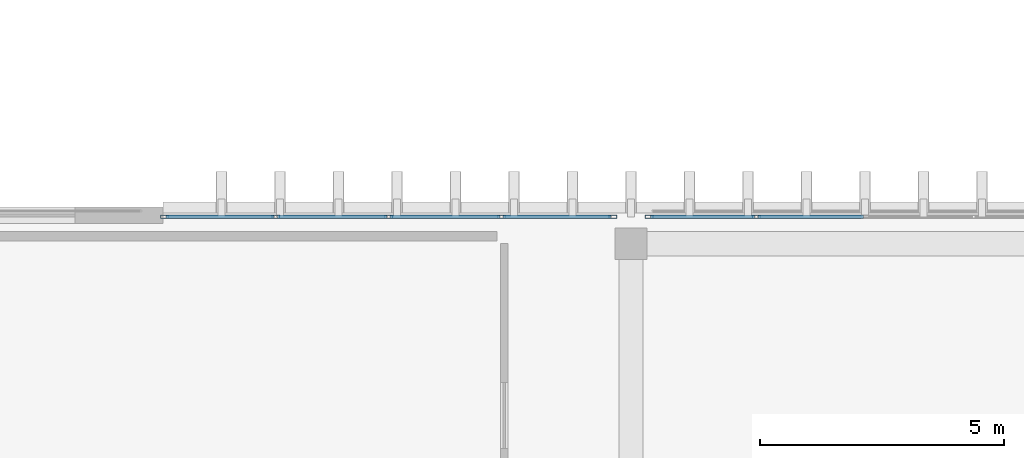
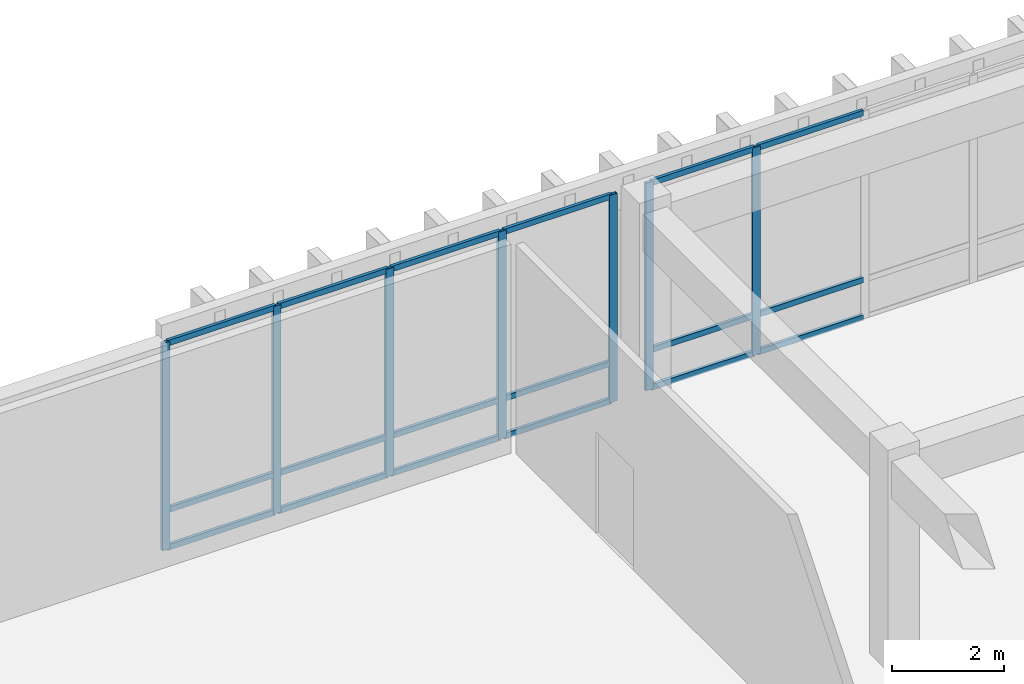
# One storey, part 27 of 101: 25 members, 2 elements without a shape of their own.
"""IFC4 building model written with IfcOpenShell, lengths in metres."""

from ifc_helpers import new_model, si_unit, direction, frame, origin, origin_2d, place, context, subcontext, project, spatial, hollow_rectangle, extrude, material, layer, layer_set, material_profile, profile_set, type_object, element, aggregate, save


model = new_model("IFC4")

# Units and contexts
model_context = context("Model", 3, precision=1e-05, world=origin(), true_north=direction((0.0, 1.0)))
body_context = subcontext(model_context, "Body", "Model", "MODEL_VIEW")
ifc_project = project(units=[si_unit("LENGTHUNIT", "METRE"), si_unit("AREAUNIT", "SQUARE_METRE"), si_unit("VOLUMEUNIT", "CUBIC_METRE"), si_unit("PLANEANGLEUNIT", "RADIAN"), si_unit("MASSUNIT", "GRAM", prefix="KILO")], contexts=[model_context])

# Site, building, storey
site_placement = place(None, origin())
site = spatial("IfcSite", under=ifc_project, at=site_placement, CompositionType="ELEMENT")
building_placement = place(site_placement, origin())
building = spatial("IfcBuilding", under=site, at=building_placement, Name="Nakhvara Creek Congress Hotel", CompositionType="ELEMENT")
storey_placement = place(building_placement, frame((0.0, 0.0, 16.199951171875)))
storey = spatial("IfcBuildingStorey", under=building, at=storey_placement, Name="L03", CompositionType="ELEMENT", Elevation=16.199951171875)

# Curtain wall, members
ifc_material_1 = material(Name="Bronze-anodised aluminium AW-6063-T6 and double-silver low-E glass", Category="aluminium")
ifc_layer = layer(ifc_material_1, 0.199951171875)
ifc_layer_set = layer_set([ifc_layer], Name="Bronze-anodised aluminium AW-6063-T6 and double-silver low-E glass")
curtain_wall_type = type_object("IfcCurtainWallType", Name="CW-POD-STICK", PredefinedType="NOTDEFINED", material=ifc_layer_set)
curtain_wall_1_placement = place(storey_placement, origin())
curtain_wall_1 = element("IfcCurtainWall", 1, at=curtain_wall_1_placement, inside=storey, type_object=curtain_wall_type, Name="Curtain Wall CW098", PredefinedType="NOTDEFINED")
ifc_material_2 = material(Name="Bronze-anodised aluminium AW-6063-T6", Category="aluminium")
ifc_material_profile_1 = material_profile(ifc_material_2, hollow_rectangle(XDim=0.06494140625, YDim=0.159912109375, WallThickness=0.00390625, at=origin_2d()), Name="ALU-MULL 65x160x4", Category="LoadBearing")
ifc_profile_set_1 = profile_set([ifc_material_profile_1], Name="Bronze-anodised aluminium AW-6063-T6")
member_type_1 = type_object("IfcMemberType", Name="CW-MULL-160", PredefinedType="MULLION", material=ifc_profile_set_1)
member_1_placement = place(storey_placement, frame((67.232421875, 95.800048828125, 0.0), z_axis=(0.0, 0.0, 1.0), x_axis=(0.0, 1.0, 0.0)))
member_1 = element("IfcMember", 2, at=member_1_placement, type_object=member_type_1, Name="CW098 mullion 1", PredefinedType="MULLION", context=body_context, shape_type="SweptSolid", body=[
    extrude(hollow_rectangle(XDim=0.06494140625, YDim=0.159912109375, WallThickness=0.00390625, at=origin_2d()), origin(), (0.0, 0.0, 1.0), 4.510009765625),
])
member_2_placement = place(storey_placement, frame((69.514892578125, 95.800048828125, 0.0), z_axis=(0.0, 0.0, 1.0), x_axis=(0.0, 1.0, 0.0)))
member_2 = element("IfcMember", 3, at=member_2_placement, type_object=member_type_1, Name="CW098 mullion 2", PredefinedType="MULLION", context=body_context, shape_type="SweptSolid", body=[
    extrude(hollow_rectangle(XDim=0.06494140625, YDim=0.159912109375, WallThickness=0.00390625, at=origin_2d()), origin(), (0.0, 0.0, 1.0), 4.510009765625),
])
member_3_placement = place(storey_placement, frame((71.830078125, 95.800048828125, 0.0), z_axis=(0.0, 0.0, 1.0), x_axis=(0.0, 1.0, 0.0)))
member_3 = element("IfcMember", 4, at=member_3_placement, type_object=member_type_1, Name="CW098 mullion 3", PredefinedType="MULLION", context=body_context, shape_type="SweptSolid", body=[
    extrude(hollow_rectangle(XDim=0.06494140625, YDim=0.159912109375, WallThickness=0.00390625, at=origin_2d()), origin(), (0.0, 0.0, 1.0), 4.510009765625),
])
member_4_placement = place(storey_placement, frame((74.14501953125, 95.800048828125, 0.0), z_axis=(0.0, 0.0, 1.0), x_axis=(0.0, 1.0, 0.0)))
member_4 = element("IfcMember", 5, at=member_4_placement, type_object=member_type_1, Name="CW098 mullion 4", PredefinedType="MULLION", context=body_context, shape_type="SweptSolid", body=[
    extrude(hollow_rectangle(XDim=0.06494140625, YDim=0.159912109375, WallThickness=0.00390625, at=origin_2d()), origin(), (0.0, 0.0, 1.0), 4.510009765625),
])
member_5_placement = place(storey_placement, frame((76.427490234375, 95.800048828125, 0.0), z_axis=(0.0, 0.0, 1.0), x_axis=(0.0, 1.0, 0.0)))
member_5 = element("IfcMember", 6, at=member_5_placement, type_object=member_type_1, Name="CW098 mullion 5", PredefinedType="MULLION", context=body_context, shape_type="SweptSolid", body=[
    extrude(hollow_rectangle(XDim=0.06494140625, YDim=0.159912109375, WallThickness=0.00390625, at=origin_2d()), origin(), (0.0, 0.0, 1.0), 4.510009765625),
])

curtain_wall_2_placement = place(storey_placement, origin())
curtain_wall_2 = element("IfcCurtainWall", 7, at=curtain_wall_2_placement, inside=storey, type_object=curtain_wall_type, Name="Curtain Wall CW099", PredefinedType="NOTDEFINED")
member_6_placement = place(storey_placement, frame((77.172607421875, 95.800048828125, 0.0), z_axis=(0.0, 0.0, 1.0), x_axis=(0.0, 1.0, 0.0)))
member_6 = element("IfcMember", 8, at=member_6_placement, type_object=member_type_1, Name="CW099 mullion 1", PredefinedType="MULLION", context=body_context, shape_type="SweptSolid", body=[
    extrude(hollow_rectangle(XDim=0.06494140625, YDim=0.159912109375, WallThickness=0.00390625, at=origin_2d()), origin(), (0.0, 0.0, 1.0), 4.510009765625),
])
member_7_placement = place(storey_placement, frame((79.3701171875, 95.800048828125, 0.0), z_axis=(0.0, 0.0, 1.0), x_axis=(0.0, 1.0, 0.0)))
member_7 = element("IfcMember", 9, at=member_7_placement, type_object=member_type_1, Name="CW099 mullion 2", PredefinedType="MULLION", context=body_context, shape_type="SweptSolid", body=[
    extrude(hollow_rectangle(XDim=0.06494140625, YDim=0.159912109375, WallThickness=0.00390625, at=origin_2d()), origin(), (0.0, 0.0, 1.0), 4.510009765625),
])

# Member
ifc_material_profile_2 = material_profile(ifc_material_2, hollow_rectangle(XDim=0.06494140625, YDim=0.1201171875, WallThickness=0.00390625, at=origin_2d()), Name="ALU-TRAN 65x120x4", Category="LoadBearing")
ifc_profile_set_2 = profile_set([ifc_material_profile_2], Name="Bronze-anodised aluminium AW-6063-T6")
member_type_2 = type_object("IfcMemberType", Name="CW-TRAN-120", PredefinedType="USERDEFINED", material=ifc_profile_set_2)
member_8_placement = place(storey_placement, frame((67.264892578125, 95.800048828125, 0.032470703125), z_axis=(1.0, 0.0, 0.0), x_axis=(0.0, 1.0, 0.0)))
member_8 = element("IfcMember", 10, at=member_8_placement, type_object=member_type_2, Name="CW098 transom 1.1", ObjectType="TRANSOM", PredefinedType="USERDEFINED", context=body_context, shape_type="SweptSolid", body=[
    extrude(hollow_rectangle(XDim=0.06494140625, YDim=0.1201171875, WallThickness=0.00390625, at=origin_2d()), origin(), (0.0, 0.0, 1.0), 2.217529296875),
])

member_9_placement = place(storey_placement, frame((67.264892578125, 95.800048828125, 0.85009765625), z_axis=(1.0, 0.0, 0.0), x_axis=(0.0, 1.0, 0.0)))
member_9 = element("IfcMember", 11, at=member_9_placement, type_object=member_type_2, Name="CW098 transom 1.2", ObjectType="TRANSOM", PredefinedType="USERDEFINED", context=body_context, shape_type="SweptSolid", body=[
    extrude(hollow_rectangle(XDim=0.06494140625, YDim=0.1201171875, WallThickness=0.00390625, at=origin_2d()), origin(), (0.0, 0.0, 1.0), 2.217529296875),
])

member_10_placement = place(storey_placement, frame((67.264892578125, 95.800048828125, 4.4775390625), z_axis=(1.0, 0.0, 0.0), x_axis=(0.0, 1.0, 0.0)))
member_10 = element("IfcMember", 12, at=member_10_placement, type_object=member_type_2, Name="CW098 transom 1.3", ObjectType="TRANSOM", PredefinedType="USERDEFINED", context=body_context, shape_type="SweptSolid", body=[
    extrude(hollow_rectangle(XDim=0.06494140625, YDim=0.1201171875, WallThickness=0.00390625, at=origin_2d()), origin(), (0.0, 0.0, 1.0), 2.217529296875),
])

member_11_placement = place(storey_placement, frame((69.547607421875, 95.800048828125, 0.032470703125), z_axis=(1.0, 0.0, 0.0), x_axis=(0.0, 1.0, 0.0)))
member_11 = element("IfcMember", 13, at=member_11_placement, type_object=member_type_2, Name="CW098 transom 2.1", ObjectType="TRANSOM", PredefinedType="USERDEFINED", context=body_context, shape_type="SweptSolid", body=[
    extrude(hollow_rectangle(XDim=0.06494140625, YDim=0.1201171875, WallThickness=0.00390625, at=origin_2d()), origin(), (0.0, 0.0, 1.0), 2.25),
])

member_12_placement = place(storey_placement, frame((69.547607421875, 95.800048828125, 0.85009765625), z_axis=(1.0, 0.0, 0.0), x_axis=(0.0, 1.0, 0.0)))
member_12 = element("IfcMember", 14, at=member_12_placement, type_object=member_type_2, Name="CW098 transom 2.2", ObjectType="TRANSOM", PredefinedType="USERDEFINED", context=body_context, shape_type="SweptSolid", body=[
    extrude(hollow_rectangle(XDim=0.06494140625, YDim=0.1201171875, WallThickness=0.00390625, at=origin_2d()), origin(), (0.0, 0.0, 1.0), 2.25),
])

member_13_placement = place(storey_placement, frame((69.547607421875, 95.800048828125, 4.4775390625), z_axis=(1.0, 0.0, 0.0), x_axis=(0.0, 1.0, 0.0)))
member_13 = element("IfcMember", 15, at=member_13_placement, type_object=member_type_2, Name="CW098 transom 2.3", ObjectType="TRANSOM", PredefinedType="USERDEFINED", context=body_context, shape_type="SweptSolid", body=[
    extrude(hollow_rectangle(XDim=0.06494140625, YDim=0.1201171875, WallThickness=0.00390625, at=origin_2d()), origin(), (0.0, 0.0, 1.0), 2.25),
])

member_14_placement = place(storey_placement, frame((71.862548828125, 95.800048828125, 0.032470703125), z_axis=(1.0, 0.0, 0.0), x_axis=(0.0, 1.0, 0.0)))
member_14 = element("IfcMember", 16, at=member_14_placement, type_object=member_type_2, Name="CW098 transom 3.1", ObjectType="TRANSOM", PredefinedType="USERDEFINED", context=body_context, shape_type="SweptSolid", body=[
    extrude(hollow_rectangle(XDim=0.06494140625, YDim=0.1201171875, WallThickness=0.00390625, at=origin_2d()), origin(), (0.0, 0.0, 1.0), 2.25),
])

member_15_placement = place(storey_placement, frame((71.862548828125, 95.800048828125, 0.85009765625), z_axis=(1.0, 0.0, 0.0), x_axis=(0.0, 1.0, 0.0)))
member_15 = element("IfcMember", 17, at=member_15_placement, type_object=member_type_2, Name="CW098 transom 3.2", ObjectType="TRANSOM", PredefinedType="USERDEFINED", context=body_context, shape_type="SweptSolid", body=[
    extrude(hollow_rectangle(XDim=0.06494140625, YDim=0.1201171875, WallThickness=0.00390625, at=origin_2d()), origin(), (0.0, 0.0, 1.0), 2.25),
])

member_16_placement = place(storey_placement, frame((71.862548828125, 95.800048828125, 4.4775390625), z_axis=(1.0, 0.0, 0.0), x_axis=(0.0, 1.0, 0.0)))
member_16 = element("IfcMember", 18, at=member_16_placement, type_object=member_type_2, Name="CW098 transom 3.3", ObjectType="TRANSOM", PredefinedType="USERDEFINED", context=body_context, shape_type="SweptSolid", body=[
    extrude(hollow_rectangle(XDim=0.06494140625, YDim=0.1201171875, WallThickness=0.00390625, at=origin_2d()), origin(), (0.0, 0.0, 1.0), 2.25),
])

member_17_placement = place(storey_placement, frame((74.177490234375, 95.800048828125, 0.032470703125), z_axis=(1.0, 0.0, 0.0), x_axis=(0.0, 1.0, 0.0)))
member_17 = element("IfcMember", 19, at=member_17_placement, type_object=member_type_2, Name="CW098 transom 4.1", ObjectType="TRANSOM", PredefinedType="USERDEFINED", context=body_context, shape_type="SweptSolid", body=[
    extrude(hollow_rectangle(XDim=0.06494140625, YDim=0.1201171875, WallThickness=0.00390625, at=origin_2d()), origin(), (0.0, 0.0, 1.0), 2.217529296875),
])

member_18_placement = place(storey_placement, frame((74.177490234375, 95.800048828125, 0.85009765625), z_axis=(1.0, 0.0, 0.0), x_axis=(0.0, 1.0, 0.0)))
member_18 = element("IfcMember", 20, at=member_18_placement, type_object=member_type_2, Name="CW098 transom 4.2", ObjectType="TRANSOM", PredefinedType="USERDEFINED", context=body_context, shape_type="SweptSolid", body=[
    extrude(hollow_rectangle(XDim=0.06494140625, YDim=0.1201171875, WallThickness=0.00390625, at=origin_2d()), origin(), (0.0, 0.0, 1.0), 2.217529296875),
])

member_19_placement = place(storey_placement, frame((74.177490234375, 95.800048828125, 4.4775390625), z_axis=(1.0, 0.0, 0.0), x_axis=(0.0, 1.0, 0.0)))
member_19 = element("IfcMember", 21, at=member_19_placement, type_object=member_type_2, Name="CW098 transom 4.3", ObjectType="TRANSOM", PredefinedType="USERDEFINED", context=body_context, shape_type="SweptSolid", body=[
    extrude(hollow_rectangle(XDim=0.06494140625, YDim=0.1201171875, WallThickness=0.00390625, at=origin_2d()), origin(), (0.0, 0.0, 1.0), 2.217529296875),
])

aggregate(curtain_wall_1, [member_1, member_2, member_3, member_4, member_5, member_8, member_9, member_10, member_11, member_12, member_13, member_14, member_15, member_16, member_17, member_18, member_19])

member_20_placement = place(storey_placement, frame((77.205078125, 95.800048828125, 0.032470703125), z_axis=(1.0, 0.0, 0.0), x_axis=(0.0, 1.0, 0.0)))
member_20 = element("IfcMember", 22, at=member_20_placement, type_object=member_type_2, Name="CW099 transom 1.1", ObjectType="TRANSOM", PredefinedType="USERDEFINED", context=body_context, shape_type="SweptSolid", body=[
    extrude(hollow_rectangle(XDim=0.06494140625, YDim=0.1201171875, WallThickness=0.00390625, at=origin_2d()), origin(), (0.0, 0.0, 1.0), 2.13232421875),
])

member_21_placement = place(storey_placement, frame((77.205078125, 95.800048828125, 0.85009765625), z_axis=(1.0, 0.0, 0.0), x_axis=(0.0, 1.0, 0.0)))
member_21 = element("IfcMember", 23, at=member_21_placement, type_object=member_type_2, Name="CW099 transom 1.2", ObjectType="TRANSOM", PredefinedType="USERDEFINED", context=body_context, shape_type="SweptSolid", body=[
    extrude(hollow_rectangle(XDim=0.06494140625, YDim=0.1201171875, WallThickness=0.00390625, at=origin_2d()), origin(), (0.0, 0.0, 1.0), 2.13232421875),
])

member_22_placement = place(storey_placement, frame((77.205078125, 95.800048828125, 4.4775390625), z_axis=(1.0, 0.0, 0.0), x_axis=(0.0, 1.0, 0.0)))
member_22 = element("IfcMember", 24, at=member_22_placement, type_object=member_type_2, Name="CW099 transom 1.3", ObjectType="TRANSOM", PredefinedType="USERDEFINED", context=body_context, shape_type="SweptSolid", body=[
    extrude(hollow_rectangle(XDim=0.06494140625, YDim=0.1201171875, WallThickness=0.00390625, at=origin_2d()), origin(), (0.0, 0.0, 1.0), 2.13232421875),
])

member_23_placement = place(storey_placement, frame((79.402587890625, 95.800048828125, 0.032470703125), z_axis=(1.0, 0.0, 0.0), x_axis=(0.0, 1.0, 0.0)))
member_23 = element("IfcMember", 25, at=member_23_placement, type_object=member_type_2, Name="CW099 transom 2.1", ObjectType="TRANSOM", PredefinedType="USERDEFINED", context=body_context, shape_type="SweptSolid", body=[
    extrude(hollow_rectangle(XDim=0.06494140625, YDim=0.1201171875, WallThickness=0.00390625, at=origin_2d()), origin(), (0.0, 0.0, 1.0), 2.164794921875),
])

member_24_placement = place(storey_placement, frame((79.402587890625, 95.800048828125, 0.85009765625), z_axis=(1.0, 0.0, 0.0), x_axis=(0.0, 1.0, 0.0)))
member_24 = element("IfcMember", 26, at=member_24_placement, type_object=member_type_2, Name="CW099 transom 2.2", ObjectType="TRANSOM", PredefinedType="USERDEFINED", context=body_context, shape_type="SweptSolid", body=[
    extrude(hollow_rectangle(XDim=0.06494140625, YDim=0.1201171875, WallThickness=0.00390625, at=origin_2d()), origin(), (0.0, 0.0, 1.0), 2.164794921875),
])

member_25_placement = place(storey_placement, frame((79.402587890625, 95.800048828125, 4.4775390625), z_axis=(1.0, 0.0, 0.0), x_axis=(0.0, 1.0, 0.0)))
member_25 = element("IfcMember", 27, at=member_25_placement, type_object=member_type_2, Name="CW099 transom 2.3", ObjectType="TRANSOM", PredefinedType="USERDEFINED", context=body_context, shape_type="SweptSolid", body=[
    extrude(hollow_rectangle(XDim=0.06494140625, YDim=0.1201171875, WallThickness=0.00390625, at=origin_2d()), origin(), (0.0, 0.0, 1.0), 2.164794921875),
])

aggregate(curtain_wall_2, [member_6, member_7, member_20, member_21, member_22, member_23, member_24, member_25])

save(model, "model.ifc")
